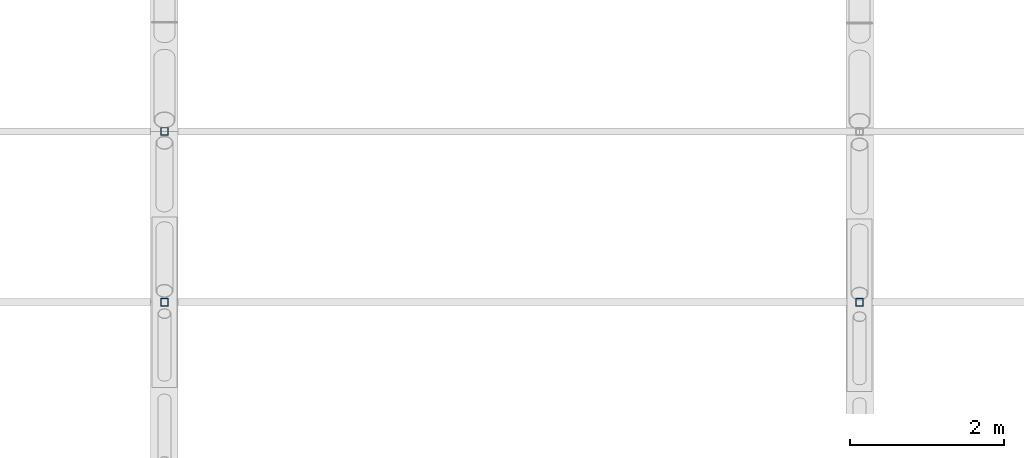
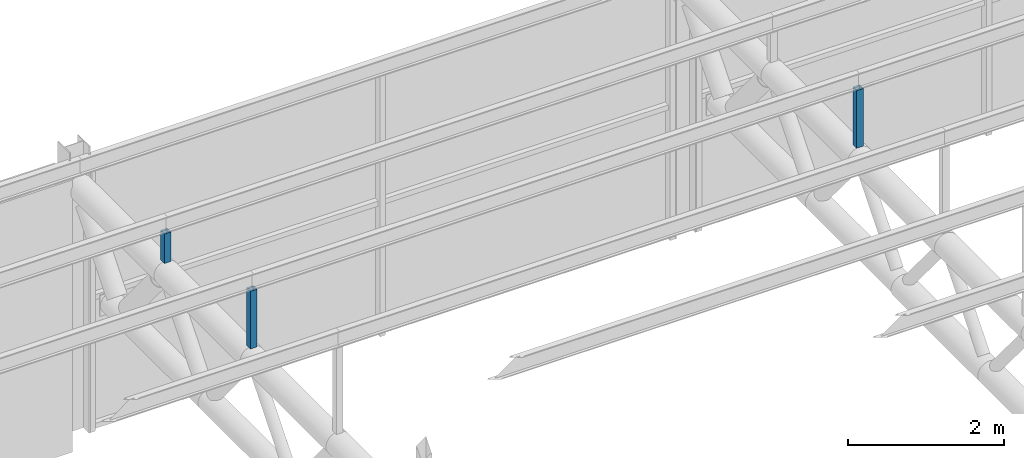
# One storey, part 92 of 138: 3 members.
"""IFC4 building model written with IfcOpenShell, lengths in metres."""

from ifc_helpers import new_model, si_unit, direction, frame, origin, origin_2d, place, context, subcontext, project, spatial, hollow_rectangle, extrude, material, material_profile, profile_set, type_object, element, save


model = new_model("IFC4")

# Units and contexts
model_context = context("Model", 3, precision=1e-05, world=origin(), true_north=direction((0.0, 1.0)))
body_context = subcontext(model_context, "Body", "Model", "MODEL_VIEW")
ifc_project = project(units=[si_unit("LENGTHUNIT", "METRE"), si_unit("AREAUNIT", "SQUARE_METRE"), si_unit("VOLUMEUNIT", "CUBIC_METRE"), si_unit("PLANEANGLEUNIT", "RADIAN"), si_unit("MASSUNIT", "GRAM", prefix="KILO")], contexts=[model_context])

# Site, building, storey
site_placement = place(None, origin())
site = spatial("IfcSite", under=ifc_project, at=site_placement, CompositionType="ELEMENT")
building_placement = place(site_placement, origin())
building = spatial("IfcBuilding", under=site, at=building_placement, Name="Corbel Yard City Hall", CompositionType="ELEMENT")
storey_placement = place(building_placement, frame((0.0, 0.0, 10.5)))
storey = spatial("IfcBuildingStorey", under=building, at=storey_placement, Name="L02", CompositionType="ELEMENT", Elevation=10.5)

# Members
ifc_material = material(Name="Steel Grade C450L0", Category="steel")
ifc_material_profile = material_profile(ifc_material, hollow_rectangle(XDim=0.10009765625, YDim=0.10009765625, WallThickness=0.006103515625, at=origin_2d()), Name="100x100x6.0SHS")
ifc_profile_set = profile_set([ifc_material_profile], Name="Steel Grade C450L0")
member_type = type_object("IfcMemberType", Name="Roof post 100x100x6.0SHS", PredefinedType="POST", material=ifc_profile_set)
member_1_placement = place(storey_placement, frame((72.0, 22.423828125, 4.10009765625), z_axis=(0.0, 0.0, 1.0), x_axis=(1.0, 0.0, 0.0)))
element("IfcMember", 1, at=member_1_placement, inside=storey, type_object=member_type, Name="Roof post 100x100x6.0SHS RP3", PredefinedType="POST", context=body_context, shape_type="SweptSolid", body=[
    extrude(hollow_rectangle(XDim=0.10009765625, YDim=0.10009765625, WallThickness=0.006103515625, at=origin_2d()), origin(), (0.0, 0.0, 1.0), 0.90625),
])
member_2_placement = place(storey_placement, frame((72.0, 24.6357421875, 4.10009765625), z_axis=(0.0, 0.0, 1.0), x_axis=(1.0, 0.0, 0.0)))
element("IfcMember", 2, at=member_2_placement, inside=storey, type_object=member_type, Name="Roof post 100x100x6.0SHS RP3", PredefinedType="POST", context=body_context, shape_type="SweptSolid", body=[
    extrude(hollow_rectangle(XDim=0.10009765625, YDim=0.10009765625, WallThickness=0.006103515625, at=origin_2d()), origin(), (0.0, 0.0, 1.0), 0.4638671875),
])
member_3_placement = place(storey_placement, frame((81.0, 22.423828125, 4.10009765625), z_axis=(0.0, 0.0, 1.0), x_axis=(1.0, 0.0, 0.0)))
element("IfcMember", 3, at=member_3_placement, inside=storey, type_object=member_type, Name="Roof post 100x100x6.0SHS RP3", PredefinedType="POST", context=body_context, shape_type="SweptSolid", body=[
    extrude(hollow_rectangle(XDim=0.10009765625, YDim=0.10009765625, WallThickness=0.006103515625, at=origin_2d()), origin(), (0.0, 0.0, 1.0), 0.90625),
])

save(model, "model.ifc")
